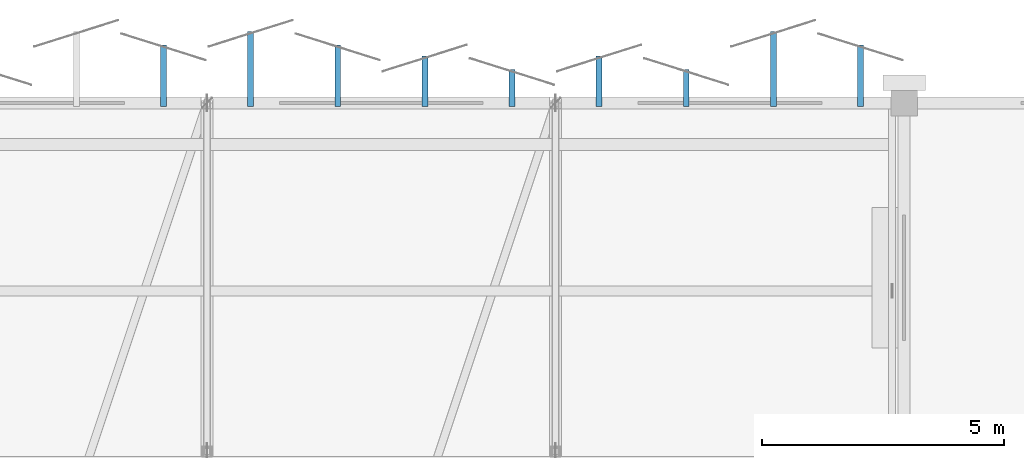
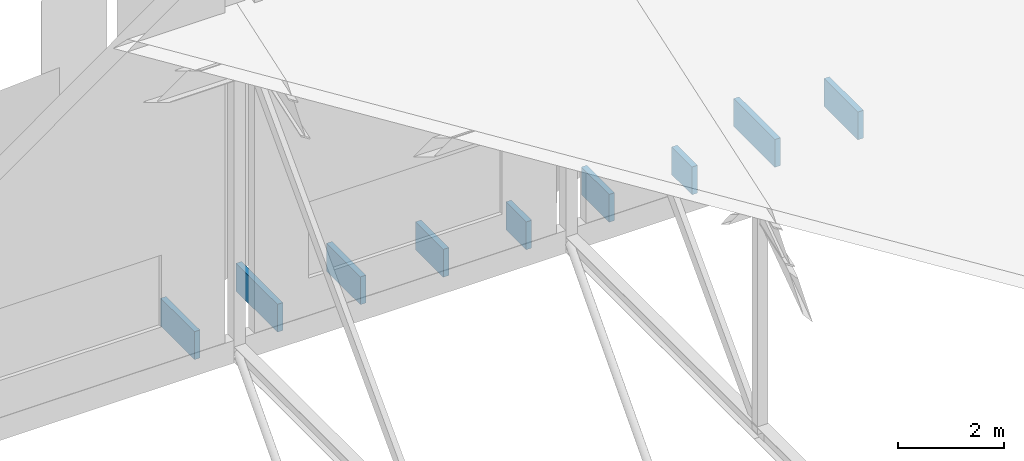
# One storey, part 55 of 59: 9 discrete accessories.
"""IFC4 building model written with IfcOpenShell, lengths in metres."""

from ifc_helpers import new_model, si_unit, direction, frame, origin, origin_2d, place, context, subcontext, project, spatial, rectangle, extrude, material, type_object, element, save


model = new_model("IFC4")

# Units and contexts
model_context = context("Model", 3, precision=1e-05, world=origin(), true_north=direction((0.0, 1.0)))
body_context = subcontext(model_context, "Body", "Model", "MODEL_VIEW")
ifc_project = project(units=[si_unit("LENGTHUNIT", "METRE"), si_unit("AREAUNIT", "SQUARE_METRE"), si_unit("VOLUMEUNIT", "CUBIC_METRE"), si_unit("PLANEANGLEUNIT", "RADIAN"), si_unit("MASSUNIT", "GRAM", prefix="KILO")], contexts=[model_context])

# Site, building, storey
site_placement = place(None, origin())
site = spatial("IfcSite", under=ifc_project, at=site_placement, CompositionType="ELEMENT")
building_placement = place(site_placement, origin())
building = spatial("IfcBuilding", under=site, at=building_placement, Name="Kangsadwip Square Police Headquarters", CompositionType="ELEMENT")
storey_placement = place(building_placement, frame((0.0, 0.0, 21.60009765625)))
storey = spatial("IfcBuildingStorey", under=building, at=storey_placement, Name="L05", CompositionType="ELEMENT", Elevation=21.60009765625)

# Discrete accessories
ifc_material = material(Name="Structural steel IS 2062 E350 (Grade 350, 350 MPa)", Category="steel")
discrete_accessory_type = type_object("IfcDiscreteAccessoryType", Name="VeilOutriggerBracket", PredefinedType="BRACKET", material=ifc_material)
discrete_accessory_1_placement = place(storey_placement, frame((128.699951171875, 115.75732421875, -0.39990234375), z_axis=(0.0, 0.0, 1.0), x_axis=(1.0, 0.0, 0.0)))
element("IfcDiscreteAccessory", 1, at=discrete_accessory_1_placement, inside=storey, type_object=discrete_accessory_type, Name="Veil Outrigger Bracket VBK-L05-0188", PredefinedType="BRACKET", context=body_context, shape_type="SweptSolid", body=[
    extrude(rectangle(XDim=0.1201171875, YDim=1.274658203125, at=origin_2d()), origin(), (0.0, 0.0, 1.0), 0.639892578125),
])
discrete_accessory_2_placement = place(storey_placement, frame((130.5, 115.897216796875, -0.39990234375), z_axis=(0.0, 0.0, 1.0), x_axis=(1.0, 0.0, 0.0)))
element("IfcDiscreteAccessory", 2, at=discrete_accessory_2_placement, inside=storey, type_object=discrete_accessory_type, Name="Veil Outrigger Bracket VBK-L05-0189", PredefinedType="BRACKET", context=body_context, shape_type="SweptSolid", body=[
    extrude(rectangle(XDim=0.1201171875, YDim=1.5546875, at=origin_2d()), origin(), (0.0, 0.0, 1.0), 0.639892578125),
])
discrete_accessory_3_placement = place(storey_placement, frame((132.300048828125, 115.75732421875, -0.39990234375), z_axis=(0.0, 0.0, 1.0), x_axis=(1.0, 0.0, 0.0)))
element("IfcDiscreteAccessory", 3, at=discrete_accessory_3_placement, inside=storey, type_object=discrete_accessory_type, Name="Veil Outrigger Bracket VBK-L05-0190", PredefinedType="BRACKET", context=body_context, shape_type="SweptSolid", body=[
    extrude(rectangle(XDim=0.1201171875, YDim=1.274658203125, at=origin_2d()), origin(), (0.0, 0.0, 1.0), 0.639892578125),
])
discrete_accessory_4_placement = place(storey_placement, frame((134.10009765625, 115.642578125, -0.39990234375), z_axis=(0.0, 0.0, 1.0), x_axis=(1.0, 0.0, 0.0)))
element("IfcDiscreteAccessory", 4, at=discrete_accessory_4_placement, inside=storey, type_object=discrete_accessory_type, Name="Veil Outrigger Bracket VBK-L05-0191", PredefinedType="BRACKET", context=body_context, shape_type="SweptSolid", body=[
    extrude(rectangle(XDim=0.1201171875, YDim=1.04541015625, at=origin_2d()), origin(), (0.0, 0.0, 1.0), 0.639892578125),
])
discrete_accessory_5_placement = place(storey_placement, frame((135.89990234375, 115.502685546875, -0.39990234375), z_axis=(0.0, 0.0, 1.0), x_axis=(1.0, 0.0, 0.0)))
element("IfcDiscreteAccessory", 5, at=discrete_accessory_5_placement, inside=storey, type_object=discrete_accessory_type, Name="Veil Outrigger Bracket VBK-L05-0192", PredefinedType="BRACKET", context=body_context, shape_type="SweptSolid", body=[
    extrude(rectangle(XDim=0.1201171875, YDim=0.765380859375, at=origin_2d()), origin(), (0.0, 0.0, 1.0), 0.639892578125),
])
discrete_accessory_6_placement = place(storey_placement, frame((137.699951171875, 115.642578125, -0.39990234375), z_axis=(0.0, 0.0, 1.0), x_axis=(1.0, 0.0, 0.0)))
element("IfcDiscreteAccessory", 6, at=discrete_accessory_6_placement, inside=storey, type_object=discrete_accessory_type, Name="Veil Outrigger Bracket VBK-L05-0193", PredefinedType="BRACKET", context=body_context, shape_type="SweptSolid", body=[
    extrude(rectangle(XDim=0.1201171875, YDim=1.04541015625, at=origin_2d()), origin(), (0.0, 0.0, 1.0), 0.639892578125),
])
discrete_accessory_7_placement = place(storey_placement, frame((139.5, 115.502685546875, -0.39990234375), z_axis=(0.0, 0.0, 1.0), x_axis=(1.0, 0.0, 0.0)))
element("IfcDiscreteAccessory", 7, at=discrete_accessory_7_placement, inside=storey, type_object=discrete_accessory_type, Name="Veil Outrigger Bracket VBK-L05-0194", PredefinedType="BRACKET", context=body_context, shape_type="SweptSolid", body=[
    extrude(rectangle(XDim=0.1201171875, YDim=0.765380859375, at=origin_2d()), origin(), (0.0, 0.0, 1.0), 0.639892578125),
])
discrete_accessory_8_placement = place(storey_placement, frame((141.300048828125, 115.897216796875, -0.39990234375), z_axis=(0.0, 0.0, 1.0), x_axis=(1.0, 0.0, 0.0)))
element("IfcDiscreteAccessory", 8, at=discrete_accessory_8_placement, inside=storey, type_object=discrete_accessory_type, Name="Veil Outrigger Bracket VBK-L05-0195", PredefinedType="BRACKET", context=body_context, shape_type="SweptSolid", body=[
    extrude(rectangle(XDim=0.1201171875, YDim=1.5546875, at=origin_2d()), origin(), (0.0, 0.0, 1.0), 0.639892578125),
])
discrete_accessory_9_placement = place(storey_placement, frame((143.10009765625, 115.75732421875, -0.39990234375), z_axis=(0.0, 0.0, 1.0), x_axis=(1.0, 0.0, 0.0)))
element("IfcDiscreteAccessory", 9, at=discrete_accessory_9_placement, inside=storey, type_object=discrete_accessory_type, Name="Veil Outrigger Bracket VBK-L05-0196", PredefinedType="BRACKET", context=body_context, shape_type="SweptSolid", body=[
    extrude(rectangle(XDim=0.1201171875, YDim=1.274658203125, at=origin_2d()), origin(), (0.0, 0.0, 1.0), 0.639892578125),
])

save(model, "model.ifc")
